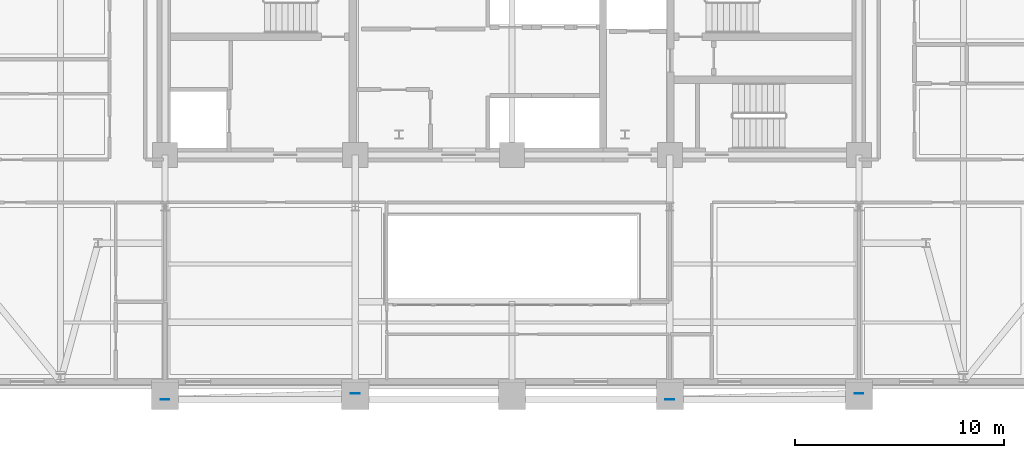
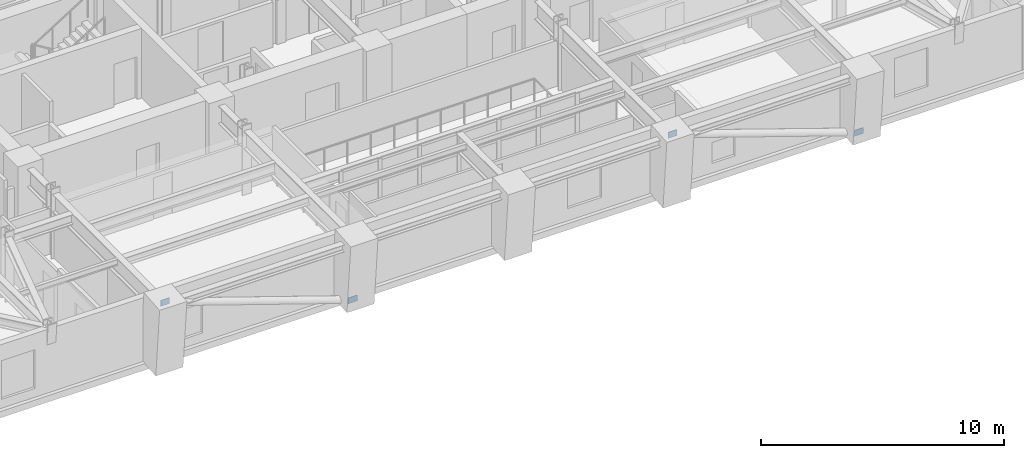
# One storey, part 6 of 14: 4 plates.
"""IFC4 building model written with IfcOpenShell, lengths in metres."""

from ifc_helpers import new_model, si_unit, direction, frame, origin, origin_2d, place, context, subcontext, project, spatial, rectangle, extrude, material, layer, layer_set, type_object, element, save


model = new_model("IFC4")

# Units and contexts
model_context = context("Model", 3, precision=1e-05, world=origin(), true_north=direction((0.0, 1.0)))
body_context = subcontext(model_context, "Body", "Model", "MODEL_VIEW")
ifc_project = project(units=[si_unit("LENGTHUNIT", "METRE"), si_unit("AREAUNIT", "SQUARE_METRE"), si_unit("VOLUMEUNIT", "CUBIC_METRE"), si_unit("PLANEANGLEUNIT", "RADIAN"), si_unit("MASSUNIT", "GRAM", prefix="KILO")], contexts=[model_context])

# Site, building, storey
site_placement = place(None, origin())
site = spatial("IfcSite", under=ifc_project, at=site_placement, CompositionType="ELEMENT")
building_placement = place(site_placement, origin())
building = spatial("IfcBuilding", under=site, at=building_placement, Name="Zarnavel Station Tower", CompositionType="ELEMENT")
storey_placement = place(building_placement, frame((0.0, 0.0, 108.300048828125)))
storey = spatial("IfcBuildingStorey", under=building, at=storey_placement, Name="L29", CompositionType="ELEMENT", Elevation=108.300048828125)

# Plates
ifc_material = material(Name="Steel S460M", Category="steel")
ifc_layer = layer(ifc_material, 0.02490234375)
ifc_layer_set = layer_set([ifc_layer], Name="GP_GUSSET_25")
plate_type = type_object("IfcPlateType", Name="GP_GUSSET_25", PredefinedType="USERDEFINED", material=ifc_layer_set)
for number, where, z_axis, x_axis, name in (
    (1, (21.300048828125, 16.413818359375, -0.14990234375), (0.0, 0.0, 1.0), (1.0, 0.0, 0.0), "L29 Exterior Diagonal Brace End Gusset 1-1"),
    (2, (12.199951171875, 16.1201171875, 3.08984375), (0.0, 0.0, 1.0), (1.0, 0.0, 0.0), "L29 Exterior Diagonal Brace End Gusset 1-2"),
    (3, (45.39990234375, 16.413818359375, -0.14990234375), (0.0, 0.0, 1.0), (1.0, 0.0, 0.0), "L29 Exterior Diagonal Brace End Gusset 2-1"),
    (4, (36.35009765625, 16.1201171875, 3.08984375), (0.0, 0.0, 1.0), (1.0, 0.0, 0.0), "L29 Exterior Diagonal Brace End Gusset 2-2"),
):
    element("IfcPlate", number, at=place(storey_placement, frame(where, z_axis=z_axis, x_axis=x_axis)), inside=storey, type_object=plate_type, Name=name, ObjectType="GUSSET_PLATE", PredefinedType="USERDEFINED", context=body_context, shape_type="SweptSolid", body=[
        extrude(rectangle(XDim=0.419921875, YDim=0.02490234375, at=origin_2d()), origin(), (0.0, 0.0, 1.0), 0.300048828125),
    ])

save(model, "model.ifc")
